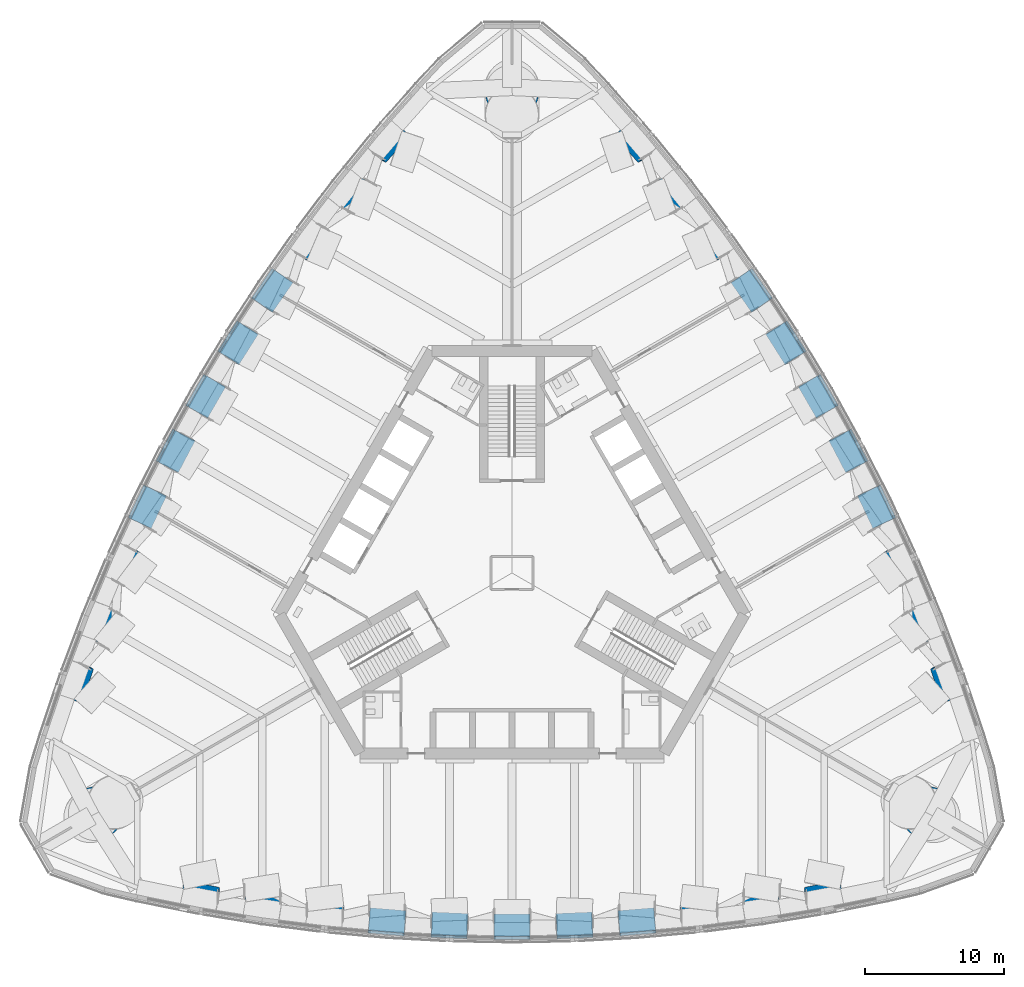
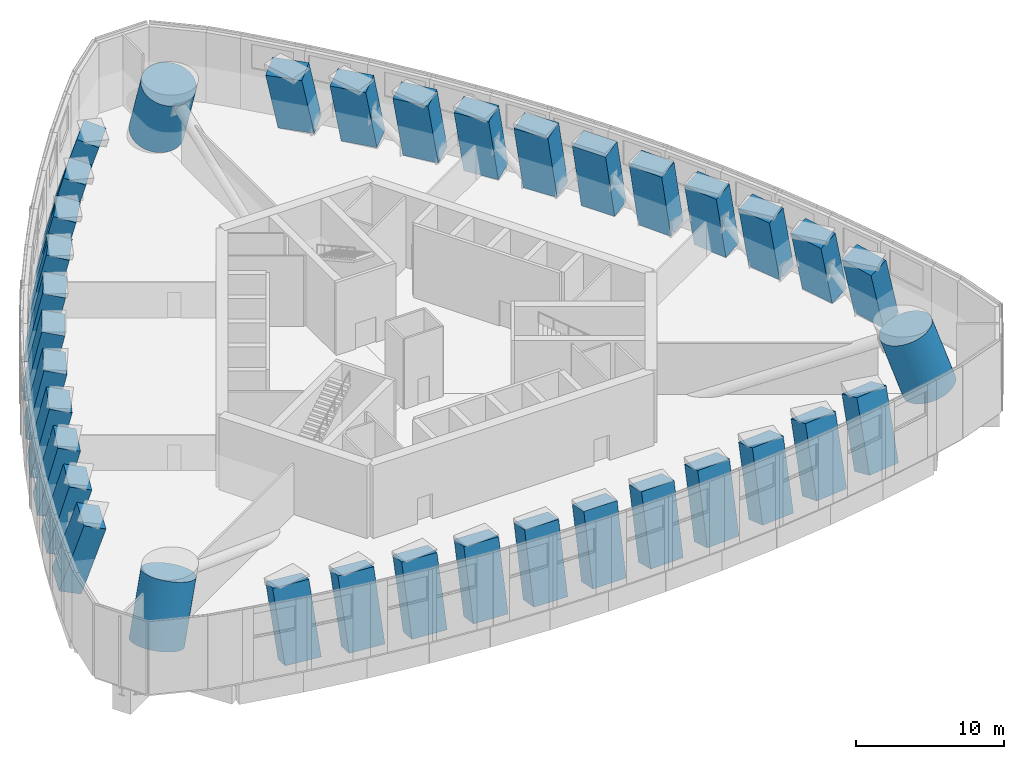
# One storey, part 1 of 25: 36 columns.
"""IFC4 building model written with IfcOpenShell, lengths in metres."""

from ifc_helpers import new_model, si_unit, direction, frame, origin, origin_2d, place, context, subcontext, project, spatial, rectangle, circle, extrude, clip, halfspace, material, material_profile, profile_set, type_object, element, save


model = new_model("IFC4")

# Units and contexts
model_context = context("Model", 3, precision=1e-05, world=origin(), true_north=direction((0.0, 1.0)))
body_context = subcontext(model_context, "Body", "Model", "MODEL_VIEW")
ifc_project = project(units=[si_unit("LENGTHUNIT", "METRE"), si_unit("AREAUNIT", "SQUARE_METRE"), si_unit("VOLUMEUNIT", "CUBIC_METRE"), si_unit("PLANEANGLEUNIT", "RADIAN"), si_unit("MASSUNIT", "GRAM", prefix="KILO")], contexts=[model_context])

# Site, building, storey
site_placement = place(None, origin())
site = spatial("IfcSite", under=ifc_project, at=site_placement, CompositionType="ELEMENT")
building_placement = place(site_placement, origin())
building = spatial("IfcBuilding", under=site, at=building_placement, Name="Trefoil Bronze Tower", CompositionType="ELEMENT")
storey_placement = place(building_placement, frame((0.0, 0.0, 178.699951171875)))
storey = spatial("IfcBuildingStorey", under=building, at=storey_placement, Name="L41", CompositionType="ELEMENT", Elevation=178.699951171875)

# Columns
ifc_material_1 = material(Name="Concrete B80", Category="concrete")
ifc_material_profile_1 = material_profile(ifc_material_1, circle(Radius=1.89990234375, at=origin_2d()), Name="RC D3800")
ifc_profile_set_1 = profile_set([ifc_material_profile_1], Name="Concrete B80")
column_type_1 = type_object("IfcColumnType", Name="Mega column RC D3800", PredefinedType="COLUMN", material=ifc_profile_set_1)
column_1_placement = place(storey_placement, frame((30.310791015625, -17.5, 0.0), z_axis=(-0.273844135475, 0.158114685496, 0.948688112973), x_axis=(-0.50002537861, -0.866010750942, 0.0)))
element("IfcColumn", 1, at=column_1_placement, inside=storey, type_object=column_type_1, Name="Mega column K1 L41", PredefinedType="COLUMN", context=body_context, shape_type="Clipping", body=[
    clip(clip(extrude(circle(Radius=1.89990234375, at=origin_2d()), origin(), (0.0, 0.0, 1.0), 6.324462890625), halfspace(frame((0.0, 0.0, 0.63427734375), z_axis=(9.267167373067098e-06, -1.5226556625558274e-05, 0.9999999998411359), x_axis=(0.0, 0.9999999998840761, 1.5226556626212106e-05)), True)), halfspace(frame((0.0, 0.0, 5.690185546875), z_axis=(-9.267167373067098e-06, 1.5226556625558274e-05, -0.9999999998411359), x_axis=(0.0, -0.9999999998840761, -1.5226556626212106e-05)), True)),
])
column_2_placement = place(storey_placement, frame((0.0, 35.0, 0.0), z_axis=(0.0, -0.316227766017, 0.948683298051), x_axis=(1.0, 0.0, 0.0)))
element("IfcColumn", 2, at=column_2_placement, inside=storey, type_object=column_type_1, Name="Mega column K2 L41", PredefinedType="COLUMN", context=body_context, shape_type="Clipping", body=[
    clip(clip(extrude(circle(Radius=1.89990234375, at=origin_2d()), origin(), (0.0, 0.0, 1.0), 6.324462890625), halfspace(frame((0.0, 0.0, 0.63427734375), z_axis=(0.0, 0.0, 1.0), x_axis=(0.0, 1.0, 0.0)), True)), halfspace(frame((0.0, 0.0, 5.690185546875), z_axis=(0.0, 0.0, -1.0), x_axis=(0.0, -1.0, 0.0)), True)),
])
column_3_placement = place(storey_placement, frame((-30.310791015625, -17.5, 0.0), z_axis=(0.273844135475, 0.158114685496, 0.948688112973), x_axis=(-0.50002537861, 0.866010750942, 0.0)))
element("IfcColumn", 3, at=column_3_placement, inside=storey, type_object=column_type_1, Name="Mega column K3 L41", PredefinedType="COLUMN", context=body_context, shape_type="Clipping", body=[
    clip(clip(extrude(circle(Radius=1.89990234375, at=origin_2d()), origin(), (0.0, 0.0, 1.0), 6.324462890625), halfspace(frame((0.0, 0.0, 0.63427734375), z_axis=(-9.267167373067098e-06, -1.5226556625558274e-05, 0.9999999998411359), x_axis=(0.0, 0.9999999998840761, 1.5226556626212106e-05)), True)), halfspace(frame((0.0, 0.0, 5.690185546875), z_axis=(9.267167373067098e-06, 1.5226556625558274e-05, -0.9999999998411359), x_axis=(0.0, -0.9999999998840761, -1.5226556626212106e-05)), True)),
])
ifc_material_2 = material(Name="Concrete B80", Category="concrete")
ifc_material_profile_2 = material_profile(ifc_material_2, rectangle(XDim=2.60009765625, YDim=1.60009765625, at=origin_2d()), Name="RC 2600x1600")
ifc_profile_set_2 = profile_set([ifc_material_profile_2], Name="Concrete B80")
column_type_2 = type_object("IfcColumnType", Name="Tube column RC 2600x1600", PredefinedType="COLUMN", material=ifc_profile_set_2)
column_4_placement = place(storey_placement, frame((-22.5, -23.592529296875, 0.0), z_axis=(0.0, 0.299300569988, 0.954158880273), x_axis=(0.980854125041, -0.185816618632, 0.058286959352)))
element("IfcColumn", 4, at=column_4_placement, inside=storey, type_object=column_type_2, Name="Tube column F1/-5 L41", PredefinedType="COLUMN", context=body_context, shape_type="Clipping", body=[
    clip(clip(extrude(rectangle(XDim=2.60009765625, YDim=1.60009765625, at=origin_2d()), origin(), (0.0, 0.0, 1.0), 6.288330078125), halfspace(frame((0.0, 0.0, 0.32666015625), z_axis=(8.260061475987014e-07, -4.160292311927717e-06, 0.9999999999910049), x_axis=(0.0, 0.999999999991346, 4.160292311929136e-06)), True)), halfspace(frame((0.0, 0.0, 5.961669921875), z_axis=(-8.260061475987014e-07, 4.160292311927717e-06, -0.9999999999910049), x_axis=(0.0, -0.999999999991346, -4.160292311929136e-06)), True)),
])
column_5_placement = place(storey_placement, frame((-18.0, -24.337158203125, 0.0), z_axis=(0.0, 0.26787435651, 0.963453854175), x_axis=(0.987407007975, -0.152418888771, 0.04237785917)))
element("IfcColumn", 5, at=column_5_placement, inside=storey, type_object=column_type_2, Name="Tube column F1/-4 L41", PredefinedType="COLUMN", context=body_context, shape_type="Clipping", body=[
    clip(clip(extrude(rectangle(XDim=2.60009765625, YDim=1.60009765625, at=origin_2d()), origin(), (0.0, 0.0, 1.0), 6.2275390625), halfspace(frame((0.0, 0.0, 0.27783203125), z_axis=(3.516938154327076e-06, -2.1950937029668882e-05, 0.9999999997528938), x_axis=(0.0, 0.9999999997590782, 2.1950937029804634e-05)), True)), halfspace(frame((0.0, 0.0, 5.949951171875), z_axis=(-3.516938154327076e-06, 2.1950937029668882e-05, -0.9999999997528938), x_axis=(0.0, -0.9999999997590782, -2.1950937029804634e-05)), True)),
])
column_6_placement = place(storey_placement, frame((-13.5, -24.9130859375, 0.0), z_axis=(0.0, 0.243241341728, 0.969965798198), x_axis=(0.99284889025, -0.115792472427, 0.029037638654)))
element("IfcColumn", 6, at=column_6_placement, inside=storey, type_object=column_type_2, Name="Tube column F1/-3 L41", PredefinedType="COLUMN", context=body_context, shape_type="Clipping", body=[
    clip(clip(extrude(rectangle(XDim=2.60009765625, YDim=1.60009765625, at=origin_2d()), origin(), (0.0, 0.0, 1.0), 6.185791015625), halfspace(frame((0.0, 0.0, 0.2392578125), z_axis=(-1.550897189790679e-06, 1.289859057065912e-05, 0.9999999999156106), x_axis=(0.0, 0.9999999999168132, -1.2898590570674633e-05)), True)), halfspace(frame((0.0, 0.0, 5.94677734375), z_axis=(1.550897189790679e-06, -1.289859057065912e-05, -0.9999999999156106), x_axis=(0.0, -0.9999999999168132, 1.2898590570674633e-05)), True)),
])
column_7_placement = place(storey_placement, frame((-9.0, -25.32275390625, 0.0), z_axis=(0.0, 0.225672947867, 0.974203120813), x_axis=(0.996802417322, -0.077844503793, 0.018032583012)))
element("IfcColumn", 7, at=column_7_placement, inside=storey, type_object=column_type_2, Name="Tube column F1/-2 L41", PredefinedType="COLUMN", context=body_context, shape_type="Clipping", body=[
    clip(clip(extrude(rectangle(XDim=2.60009765625, YDim=1.60009765625, at=origin_2d()), origin(), (0.0, 0.0, 1.0), 6.158935546875), halfspace(frame((0.0, 0.0, 0.209716796875), z_axis=(3.931179211845437e-07, -4.904034162700466e-06, 0.999999999987898), x_axis=(0.0, 0.9999999999879753, 4.904034162700844e-06)), True)), halfspace(frame((0.0, -0.000244140625, 5.94921875), z_axis=(-3.931179211845437e-07, 4.904034162700466e-06, -0.999999999987898), x_axis=(0.0, -0.9999999999879753, -4.904034162700844e-06)), True)),
])
column_8_placement = place(storey_placement, frame((-4.5, -25.568115234375, 0.0), z_axis=(0.0, 0.215137706469, 0.976583722604), x_axis=(0.999197926162, -0.03910610419, 0.008614927087)))
element("IfcColumn", 8, at=column_8_placement, inside=storey, type_object=column_type_2, Name="Tube column F1/-1 L41", PredefinedType="COLUMN", context=body_context, shape_type="Clipping", body=[
    clip(clip(extrude(rectangle(XDim=2.60009765625, YDim=1.60009765625, at=origin_2d()), origin(), (0.0, 0.0, 1.0), 6.143798828125), halfspace(frame((0.0, 0.0, 0.188720703125), z_axis=(7.706867721588712e-07, -1.9230667424069425e-05, 0.9999999998147938), x_axis=(0.0, 0.9999999998150907, 1.9230667424075134e-05)), True)), halfspace(frame((0.0, 0.0, 5.955322265625), z_axis=(-7.706867721588712e-07, 1.9230667424069425e-05, -0.9999999998147938), x_axis=(0.0, -0.9999999998150907, -1.9230667424075134e-05)), True)),
])
column_9_placement = place(storey_placement, frame((0.0, -25.649658203125, 0.0), z_axis=(0.0, 0.211608999998, 0.977354404052), x_axis=(1.0, 0.0, 0.0)))
element("IfcColumn", 9, at=column_9_placement, inside=storey, type_object=column_type_2, Name="Tube column F1/+0 L41", PredefinedType="COLUMN", context=body_context, shape_type="Clipping", body=[
    clip(clip(extrude(rectangle(XDim=2.60009765625, YDim=1.60009765625, at=origin_2d()), origin(), (0.0, 0.0, 1.0), 6.138916015625), halfspace(frame((0.0, 0.0, 0.17431640625), z_axis=(6.659859586810649e-22, -5.438188048573211e-06, 0.999999999985213), x_axis=(0.0, 0.999999999985213, 5.438188048573211e-06)), True)), halfspace(frame((0.0, 0.0, 5.96484375), z_axis=(-6.659859586810649e-22, 5.438188048573211e-06, -0.999999999985213), x_axis=(0.0, -0.999999999985213, -5.438188048573211e-06)), True)),
])
column_10_placement = place(storey_placement, frame((4.5, -25.568115234375, 0.0), z_axis=(0.0, 0.215137706469, 0.976583722604), x_axis=(0.999197926162, 0.03910610419, -0.008614927087)))
element("IfcColumn", 10, at=column_10_placement, inside=storey, type_object=column_type_2, Name="Tube column F1/+1 L41", PredefinedType="COLUMN", context=body_context, shape_type="Clipping", body=[
    clip(clip(extrude(rectangle(XDim=2.60009765625, YDim=1.60009765625, at=origin_2d()), origin(), (0.0, 0.0, 1.0), 6.143798828125), halfspace(frame((0.0, 0.0, 0.188720703125), z_axis=(-7.706867721588712e-07, -1.9230667424069425e-05, 0.9999999998147938), x_axis=(0.0, 0.9999999998150907, 1.9230667424075134e-05)), True)), halfspace(frame((0.0, 0.0, 5.955322265625), z_axis=(7.706867721588712e-07, 1.9230667424069425e-05, -0.9999999998147938), x_axis=(0.0, -0.9999999998150907, -1.9230667424075134e-05)), True)),
])
column_11_placement = place(storey_placement, frame((9.0, -25.32275390625, 0.0), z_axis=(0.0, 0.225672947867, 0.974203120813), x_axis=(0.996802417322, 0.077844503793, -0.018032583012)))
element("IfcColumn", 11, at=column_11_placement, inside=storey, type_object=column_type_2, Name="Tube column F1/+2 L41", PredefinedType="COLUMN", context=body_context, shape_type="Clipping", body=[
    clip(clip(extrude(rectangle(XDim=2.60009765625, YDim=1.60009765625, at=origin_2d()), origin(), (0.0, 0.0, 1.0), 6.158935546875), halfspace(frame((0.0, 0.0, 0.209716796875), z_axis=(-3.931179211845437e-07, -4.904034162700466e-06, 0.999999999987898), x_axis=(0.0, 0.9999999999879753, 4.904034162700844e-06)), True)), halfspace(frame((0.0, -0.000244140625, 5.94921875), z_axis=(3.931179211845437e-07, 4.904034162700466e-06, -0.999999999987898), x_axis=(0.0, -0.9999999999879753, -4.904034162700844e-06)), True)),
])
column_12_placement = place(storey_placement, frame((13.5, -24.9130859375, 0.0), z_axis=(0.0, 0.243241341728, 0.969965798198), x_axis=(0.99284889025, 0.115792472427, -0.029037638654)))
element("IfcColumn", 12, at=column_12_placement, inside=storey, type_object=column_type_2, Name="Tube column F1/+3 L41", PredefinedType="COLUMN", context=body_context, shape_type="Clipping", body=[
    clip(clip(extrude(rectangle(XDim=2.60009765625, YDim=1.60009765625, at=origin_2d()), origin(), (0.0, 0.0, 1.0), 6.185791015625), halfspace(frame((0.0, 0.0, 0.2392578125), z_axis=(1.550897189790679e-06, 1.289859057065912e-05, 0.9999999999156106), x_axis=(0.0, 0.9999999999168132, -1.2898590570674633e-05)), True)), halfspace(frame((0.0, 0.0, 5.94677734375), z_axis=(-1.550897189790679e-06, -1.289859057065912e-05, -0.9999999999156106), x_axis=(0.0, -0.9999999999168132, 1.2898590570674633e-05)), True)),
])
column_13_placement = place(storey_placement, frame((18.0, -24.337158203125, 0.0), z_axis=(0.0, 0.26787435651, 0.963453854175), x_axis=(0.987407007975, 0.152418888771, -0.04237785917)))
element("IfcColumn", 13, at=column_13_placement, inside=storey, type_object=column_type_2, Name="Tube column F1/+4 L41", PredefinedType="COLUMN", context=body_context, shape_type="Clipping", body=[
    clip(clip(extrude(rectangle(XDim=2.60009765625, YDim=1.60009765625, at=origin_2d()), origin(), (0.0, 0.0, 1.0), 6.2275390625), halfspace(frame((0.0, 0.0, 0.27783203125), z_axis=(-3.516938154327076e-06, -2.1950937029668882e-05, 0.9999999997528938), x_axis=(0.0, 0.9999999997590782, 2.1950937029804634e-05)), True)), halfspace(frame((0.0, 0.0, 5.949951171875), z_axis=(3.516938154327076e-06, 2.1950937029668882e-05, -0.9999999997528938), x_axis=(0.0, -0.9999999997590782, -2.1950937029804634e-05)), True)),
])
column_14_placement = place(storey_placement, frame((22.5, -23.592529296875, 0.0), z_axis=(0.0, 0.299300569988, 0.954158880273), x_axis=(0.980854125041, 0.185816618632, -0.058286959352)))
element("IfcColumn", 14, at=column_14_placement, inside=storey, type_object=column_type_2, Name="Tube column F1/+5 L41", PredefinedType="COLUMN", context=body_context, shape_type="Clipping", body=[
    clip(clip(extrude(rectangle(XDim=2.60009765625, YDim=1.60009765625, at=origin_2d()), origin(), (0.0, 0.0, 1.0), 6.288330078125), halfspace(frame((0.0, 0.0, 0.32666015625), z_axis=(-8.260061475987014e-07, -4.160292311927717e-06, 0.9999999999910049), x_axis=(0.0, 0.999999999991346, 4.160292311929136e-06)), True)), halfspace(frame((0.0, 0.0, 5.961669921875), z_axis=(8.260061475987014e-07, 4.160292311927717e-06, -0.9999999999910049), x_axis=(0.0, -0.999999999991346, -4.160292311929136e-06)), True)),
])
column_15_placement = place(storey_placement, frame((31.681884765625, -7.689208984375, 0.0), z_axis=(-0.259194268696, -0.149669548506, 0.954157931018), x_axis=(-0.329569843621, 0.942330239271, 0.058287548681)))
element("IfcColumn", 15, at=column_15_placement, inside=storey, type_object=column_type_2, Name="Tube column F2/-5 L41", PredefinedType="COLUMN", context=body_context, shape_type="Clipping", body=[
    clip(clip(extrude(rectangle(XDim=2.60009765625, YDim=1.60009765625, at=origin_2d()), origin(), (0.0, 0.0, 1.0), 6.288330078125), halfspace(frame((0.0, 0.0, 0.32666015625), z_axis=(2.1547173570279913e-05, -3.2802665639875003e-06, 0.9999999997624797), x_axis=(0.0, 0.99999999999462, 3.2802665647489825e-06)), True)), halfspace(frame((0.0, 0.0, 5.961669921875), z_axis=(-2.1547173570279913e-05, 3.2802665639875003e-06, -0.9999999997624797), x_axis=(0.0, -0.99999999999462, -3.2802665647489825e-06)), True)),
])
column_16_placement = place(storey_placement, frame((30.07666015625, -3.419921875, 0.0), z_axis=(-0.231966146532, -0.13391860006, 0.963461216355), x_axis=(-0.36168243427, 0.93133790261, 0.042373669911)))
element("IfcColumn", 16, at=column_16_placement, inside=storey, type_object=column_type_2, Name="Tube column F2/-4 L41", PredefinedType="COLUMN", context=body_context, shape_type="Clipping", body=[
    clip(clip(extrude(rectangle(XDim=2.60009765625, YDim=1.60009765625, at=origin_2d()), origin(), (0.0, 0.0, 1.0), 6.2275390625), halfspace(frame((0.0, 0.0, 0.27783203125), z_axis=(-6.917197328398794e-06, 4.213036003897219e-06, 0.9999999999672015), x_axis=(0.0, 0.9999999999911252, -4.213036003998011e-06)), True)), halfspace(frame((0.0, 0.0, 5.949951171875), z_axis=(6.917197328398794e-06, -4.213036003897219e-06, -0.9999999999672015), x_axis=(0.0, -0.9999999999911252, 4.213036003998011e-06)), True)),
])
column_17_placement = place(storey_placement, frame((28.325439453125, 0.76513671875, 0.0), z_axis=(-0.210679538915, -0.121600535668, 0.969962598046), x_axis=(-0.396030042984, 0.91777825869, 0.029039162011)))
element("IfcColumn", 17, at=column_17_placement, inside=storey, type_object=column_type_2, Name="Tube column F2/-3 L41", PredefinedType="COLUMN", context=body_context, shape_type="Clipping", body=[
    clip(clip(extrude(rectangle(XDim=2.60009765625, YDim=1.60009765625, at=origin_2d()), origin(), (0.0, 0.0, 1.0), 6.185791015625), halfspace(frame((0.0, 0.0, 0.2392578125), z_axis=(-3.0378180671815358e-05, -3.820048547931165e-06, 0.9999999995312867), x_axis=(0.0, 0.9999999999927036, 3.8200485496938e-06)), True)), halfspace(frame((0.0, 0.0, 5.94677734375), z_axis=(3.0378180671815358e-05, 3.820048547931165e-06, -0.9999999995312867), x_axis=(0.0, -0.9999999999927036, -3.8200485496938e-06)), True)),
])
column_18_placement = place(storey_placement, frame((26.43017578125, 4.8671875, 0.0), z_axis=(-0.195428167391, -0.112817153021, 0.974207432416), x_axis=(-0.430939361595, 0.902200723906, 0.018031095686)))
element("IfcColumn", 18, at=column_18_placement, inside=storey, type_object=column_type_2, Name="Tube column F2/-2 L41", PredefinedType="COLUMN", context=body_context, shape_type="Clipping", body=[
    clip(clip(extrude(rectangle(XDim=2.60009765625, YDim=1.60009765625, at=origin_2d()), origin(), (0.0, 0.0, 1.0), 6.158935546875), halfspace(frame((0.0, 0.0, 0.209716796875), z_axis=(-1.266096880684145e-05, 1.3217046998748039e-05, 0.9999999998325048), x_axis=(0.0, 0.9999999999126549, -1.3217046999807387e-05)), True)), halfspace(frame((0.0, 0.0, 5.94921875), z_axis=(1.266096880684145e-05, -1.3217046998748039e-05, -0.9999999998325048), x_axis=(0.0, -0.9999999999126549, 1.3217046999807387e-05)), True)),
])
column_19_placement = place(storey_placement, frame((24.392578125, 8.886962890625, 0.0), z_axis=(-0.186289343802, -0.107569380049, 0.976588505391), x_axis=(-0.465785984336, 0.884855476791, 0.008614057662)))
element("IfcColumn", 19, at=column_19_placement, inside=storey, type_object=column_type_2, Name="Tube column F2/-1 L41", PredefinedType="COLUMN", context=body_context, shape_type="Clipping", body=[
    clip(clip(extrude(rectangle(XDim=2.60009765625, YDim=1.60009765625, at=origin_2d()), origin(), (0.0, 0.0, 1.0), 6.143798828125), halfspace(frame((0.0, 0.0, 0.188720703125), z_axis=(1.3014513908404109e-05, 3.509830411391191e-06, 0.9999999999091518), x_axis=(0.0, 0.9999999999938406, -3.5098304116884342e-06)), True)), halfspace(frame((0.0, 0.0, 5.955322265625), z_axis=(-1.3014513908404109e-05, -3.509830411391191e-06, -0.9999999999091518), x_axis=(0.0, -0.9999999999938406, 3.5098304116884342e-06)), True)),
])
column_20_placement = place(storey_placement, frame((22.21337890625, 12.824951171875, 0.0), z_axis=(-0.183253727016, -0.105824255119, 0.97735321075), x_axis=(-0.500080332001, 0.865979019114, 0.0)))
element("IfcColumn", 20, at=column_20_placement, inside=storey, type_object=column_type_2, Name="Tube column F2/+0 L41", PredefinedType="COLUMN", context=body_context, shape_type="Clipping", body=[
    clip(clip(extrude(rectangle(XDim=2.60009765625, YDim=1.60009765625, at=origin_2d()), origin(), (0.0, 0.0, 1.0), 6.138916015625), halfspace(frame((0.0, 0.000244140625, 0.17431640625), z_axis=(1.962931837797242e-05, -1.1078215543997016e-05, 0.9999999997459816), x_axis=(0.0, 0.9999999999386366, 1.107821554613129e-05)), True)), halfspace(frame((0.0, 0.0, 5.96484375), z_axis=(-1.962931837797242e-05, 1.1078215543997016e-05, -0.9999999997459816), x_axis=(0.0, -0.9999999999386366, -1.107821554613129e-05)), True)),
])
column_21_placement = place(storey_placement, frame((19.892578125, 16.68115234375, 0.0), z_axis=(-0.186289343802, -0.107569380049, 0.976588505391), x_axis=(-0.533517685828, 0.845745042504, -0.008614057662)))
element("IfcColumn", 21, at=column_21_placement, inside=storey, type_object=column_type_2, Name="Tube column F2/+1 L41", PredefinedType="COLUMN", context=body_context, shape_type="Clipping", body=[
    clip(clip(extrude(rectangle(XDim=2.60009765625, YDim=1.60009765625, at=origin_2d()), origin(), (0.0, 0.0, 1.0), 6.143798828125), halfspace(frame((0.0, 0.0, 0.1884765625), z_axis=(1.3253644547951e-05, 2.4571096812753272e-06, 0.9999999999091518), x_axis=(0.0, 0.9999999999969813, -2.457109681491134e-06)), True)), halfspace(frame((0.0, 0.0, 5.955322265625), z_axis=(-1.3253644547951e-05, -2.4571096812753272e-06, -0.9999999999091518), x_axis=(0.0, -0.9999999999969813, 2.457109681491134e-06)), True)),
])
column_22_placement = place(storey_placement, frame((17.43017578125, 20.45556640625, 0.0), z_axis=(-0.195428167391, -0.112817153021, 0.974207432416), x_axis=(-0.565774582808, 0.824362784845, -0.018031095686)))
element("IfcColumn", 22, at=column_22_placement, inside=storey, type_object=column_type_2, Name="Tube column F2/+2 L41", PredefinedType="COLUMN", context=body_context, shape_type="Clipping", body=[
    clip(clip(extrude(rectangle(XDim=2.60009765625, YDim=1.60009765625, at=origin_2d()), origin(), (0.0, 0.0, 1.0), 6.158935546875), halfspace(frame((0.0, 0.0, 0.209716796875), z_axis=(-1.0393805708591025e-05, 1.5065167287081627e-05, 0.9999999998325048), x_axis=(0.0, 0.9999999998865204, -1.5065167287895381e-05)), True)), halfspace(frame((0.0, 0.0, 5.94921875), z_axis=(1.0393805708591025e-05, -1.5065167287081627e-05, -0.9999999998325048), x_axis=(0.0, -0.9999999998865204, 1.5065167287895381e-05)), True)),
])
column_23_placement = place(storey_placement, frame((14.825439453125, 24.14794921875, 0.0), z_axis=(-0.21067852764, -0.121639419668, 0.969957942168), x_axis=(-0.596714603171, 0.801927852563, -0.029041378179)))
element("IfcColumn", 23, at=column_23_placement, inside=storey, type_object=column_type_2, Name="Tube column F2/+3 L41", PredefinedType="COLUMN", context=body_context, shape_type="Clipping", body=[
    clip(clip(extrude(rectangle(XDim=2.60009765625, YDim=1.60009765625, at=origin_2d()), origin(), (0.0, 0.0, 1.0), 6.185791015625), halfspace(frame((0.0, 0.0, 0.2392578125), z_axis=(1.2329942088509793e-06, -1.9590941299552078e-05, 0.9999999998073374), x_axis=(0.0, 0.9999999998080975, 1.959094129956697e-05)), True)), halfspace(frame((0.0, 0.0, 5.94677734375), z_axis=(-1.2329942088509793e-06, 1.9590941299552078e-05, -0.9999999998073374), x_axis=(0.0, -0.9999999998080975, -1.959094129956697e-05)), True)),
])
column_24_placement = place(storey_placement, frame((12.07666015625, 27.757080078125, 0.0), z_axis=(-0.231966146532, -0.13391860006, 0.963461216355), x_axis=(-0.625685218316, 0.778923924192, -0.042373669911)))
element("IfcColumn", 24, at=column_24_placement, inside=storey, type_object=column_type_2, Name="Tube column F2/+4 L41", PredefinedType="COLUMN", context=body_context, shape_type="Clipping", body=[
    clip(clip(extrude(rectangle(XDim=2.60009765625, YDim=1.60009765625, at=origin_2d()), origin(), (0.0, 0.0, 1.0), 6.2275390625), halfspace(frame((0.0, 0.0, 0.27783203125), z_axis=(-5.254736092627499e-06, 6.1632004548783925e-06, 0.9999999999672015), x_axis=(0.0, 0.9999999999810075, -6.163200454963482e-06)), True)), halfspace(frame((0.0, 0.000244140625, 5.949951171875), z_axis=(5.254736092627499e-06, -6.1632004548783925e-06, -0.9999999999672015), x_axis=(0.0, -0.9999999999810075, 6.163200454963482e-06)), True)),
])
column_25_placement = place(storey_placement, frame((9.181884765625, 31.281982421875, 0.0), z_axis=(-0.259194268696, -0.149669548506, 0.954157931018), x_axis=(-0.651400622005, 0.756491765533, -0.058287548681)))
element("IfcColumn", 25, at=column_25_placement, inside=storey, type_object=column_type_2, Name="Tube column F2/+5 L41", PredefinedType="COLUMN", context=body_context, shape_type="Clipping", body=[
    clip(clip(extrude(rectangle(XDim=2.60009765625, YDim=1.60009765625, at=origin_2d()), origin(), (0.0, 0.0, 1.0), 6.288330078125), halfspace(frame((0.0, 0.0, 0.32666015625), z_axis=(1.865964990373226e-05, -1.1263139130357482e-05, 0.9999999997624797), x_axis=(0.0, 0.9999999999365708, 1.1263139132318295e-05)), True)), halfspace(frame((0.0, 0.0, 5.9619140625), z_axis=(-1.865964990373226e-05, 1.1263139130357482e-05, -0.9999999997624797), x_axis=(0.0, -0.9999999999365708, -1.1263139132318295e-05)), True)),
])
column_26_placement = place(storey_placement, frame((-9.181884765625, 31.281982421875, 0.0), z_axis=(0.259194268696, -0.149669548506, 0.954157931018), x_axis=(-0.651400622005, -0.756491765533, 0.058287548681)))
element("IfcColumn", 26, at=column_26_placement, inside=storey, type_object=column_type_2, Name="Tube column F3/-5 L41", PredefinedType="COLUMN", context=body_context, shape_type="Clipping", body=[
    clip(clip(extrude(rectangle(XDim=2.60009765625, YDim=1.60009765625, at=origin_2d()), origin(), (0.0, 0.0, 1.0), 6.288330078125), halfspace(frame((0.0, 0.0, 0.32666015625), z_axis=(-1.865964990373226e-05, -1.1263139130357482e-05, 0.9999999997624797), x_axis=(0.0, 0.9999999999365708, 1.1263139132318295e-05)), True)), halfspace(frame((0.0, 0.0, 5.9619140625), z_axis=(1.865964990373226e-05, 1.1263139130357482e-05, -0.9999999997624797), x_axis=(0.0, -0.9999999999365708, -1.1263139132318295e-05)), True)),
])
column_27_placement = place(storey_placement, frame((-12.07666015625, 27.757080078125, 0.0), z_axis=(0.231966146532, -0.13391860006, 0.963461216355), x_axis=(-0.625685218316, -0.778923924192, 0.042373669911)))
element("IfcColumn", 27, at=column_27_placement, inside=storey, type_object=column_type_2, Name="Tube column F3/-4 L41", PredefinedType="COLUMN", context=body_context, shape_type="Clipping", body=[
    clip(clip(extrude(rectangle(XDim=2.60009765625, YDim=1.60009765625, at=origin_2d()), origin(), (0.0, 0.0, 1.0), 6.2275390625), halfspace(frame((0.0, 0.0, 0.27783203125), z_axis=(5.254736092627499e-06, 6.1632004548783925e-06, 0.9999999999672015), x_axis=(0.0, 0.9999999999810075, -6.163200454963482e-06)), True)), halfspace(frame((0.0, 0.000244140625, 5.949951171875), z_axis=(-5.254736092627499e-06, -6.1632004548783925e-06, -0.9999999999672015), x_axis=(0.0, -0.9999999999810075, 6.163200454963482e-06)), True)),
])
column_28_placement = place(storey_placement, frame((-14.825439453125, 24.14794921875, 0.0), z_axis=(0.21067852764, -0.121639419668, 0.969957942168), x_axis=(-0.596714603171, -0.801927852563, 0.029041378179)))
element("IfcColumn", 28, at=column_28_placement, inside=storey, type_object=column_type_2, Name="Tube column F3/-3 L41", PredefinedType="COLUMN", context=body_context, shape_type="Clipping", body=[
    clip(clip(extrude(rectangle(XDim=2.60009765625, YDim=1.60009765625, at=origin_2d()), origin(), (0.0, 0.0, 1.0), 6.185791015625), halfspace(frame((0.0, 0.0, 0.2392578125), z_axis=(-1.2329942088509793e-06, -1.9590941299552078e-05, 0.9999999998073374), x_axis=(0.0, 0.9999999998080975, 1.959094129956697e-05)), True)), halfspace(frame((0.0, 0.0, 5.94677734375), z_axis=(1.2329942088509793e-06, 1.9590941299552078e-05, -0.9999999998073374), x_axis=(0.0, -0.9999999998080975, -1.959094129956697e-05)), True)),
])
column_29_placement = place(storey_placement, frame((-17.43017578125, 20.45556640625, 0.0), z_axis=(0.195428167391, -0.112817153021, 0.974207432416), x_axis=(-0.565774582808, -0.824362784845, 0.018031095686)))
element("IfcColumn", 29, at=column_29_placement, inside=storey, type_object=column_type_2, Name="Tube column F3/-2 L41", PredefinedType="COLUMN", context=body_context, shape_type="Clipping", body=[
    clip(clip(extrude(rectangle(XDim=2.60009765625, YDim=1.60009765625, at=origin_2d()), origin(), (0.0, 0.0, 1.0), 6.158935546875), halfspace(frame((0.0, 0.0, 0.209716796875), z_axis=(1.0393805708591025e-05, 1.5065167287081627e-05, 0.9999999998325048), x_axis=(0.0, 0.9999999998865204, -1.5065167287895381e-05)), True)), halfspace(frame((0.0, 0.0, 5.94921875), z_axis=(-1.0393805708591025e-05, -1.5065167287081627e-05, -0.9999999998325048), x_axis=(0.0, -0.9999999998865204, 1.5065167287895381e-05)), True)),
])
column_30_placement = place(storey_placement, frame((-19.892578125, 16.68115234375, 0.0), z_axis=(0.186289343802, -0.107569380049, 0.976588505391), x_axis=(-0.533517685828, -0.845745042504, 0.008614057662)))
element("IfcColumn", 30, at=column_30_placement, inside=storey, type_object=column_type_2, Name="Tube column F3/-1 L41", PredefinedType="COLUMN", context=body_context, shape_type="Clipping", body=[
    clip(clip(extrude(rectangle(XDim=2.60009765625, YDim=1.60009765625, at=origin_2d()), origin(), (0.0, 0.0, 1.0), 6.143798828125), halfspace(frame((0.0, 0.0, 0.1884765625), z_axis=(-1.3253644547951e-05, 2.4571096812753272e-06, 0.9999999999091518), x_axis=(0.0, 0.9999999999969813, -2.457109681491134e-06)), True)), halfspace(frame((0.0, 0.0, 5.955322265625), z_axis=(1.3253644547951e-05, -2.4571096812753272e-06, -0.9999999999091518), x_axis=(0.0, -0.9999999999969813, 2.457109681491134e-06)), True)),
])
column_31_placement = place(storey_placement, frame((-22.21337890625, 12.824951171875, 0.0), z_axis=(0.183253727016, -0.105824255119, 0.97735321075), x_axis=(-0.500080332001, -0.865979019114, 0.0)))
element("IfcColumn", 31, at=column_31_placement, inside=storey, type_object=column_type_2, Name="Tube column F3/+0 L41", PredefinedType="COLUMN", context=body_context, shape_type="Clipping", body=[
    clip(clip(extrude(rectangle(XDim=2.60009765625, YDim=1.60009765625, at=origin_2d()), origin(), (0.0, 0.0, 1.0), 6.138916015625), halfspace(frame((0.0, 0.000244140625, 0.17431640625), z_axis=(-1.962931837797242e-05, -1.1078215543997016e-05, 0.9999999997459816), x_axis=(0.0, 0.9999999999386366, 1.107821554613129e-05)), True)), halfspace(frame((0.0, 0.0, 5.96484375), z_axis=(1.962931837797242e-05, 1.1078215543997016e-05, -0.9999999997459816), x_axis=(0.0, -0.9999999999386366, -1.107821554613129e-05)), True)),
])
column_32_placement = place(storey_placement, frame((-24.392578125, 8.886962890625, 0.0), z_axis=(0.186289343802, -0.107569380049, 0.976588505391), x_axis=(-0.465785984336, -0.884855476791, -0.008614057662)))
element("IfcColumn", 32, at=column_32_placement, inside=storey, type_object=column_type_2, Name="Tube column F3/+1 L41", PredefinedType="COLUMN", context=body_context, shape_type="Clipping", body=[
    clip(clip(extrude(rectangle(XDim=2.60009765625, YDim=1.60009765625, at=origin_2d()), origin(), (0.0, 0.0, 1.0), 6.143798828125), halfspace(frame((0.0, 0.0, 0.188720703125), z_axis=(-1.3014513908404109e-05, 3.509830411391191e-06, 0.9999999999091518), x_axis=(0.0, 0.9999999999938406, -3.5098304116884342e-06)), True)), halfspace(frame((0.0, 0.0, 5.955322265625), z_axis=(1.3014513908404109e-05, -3.509830411391191e-06, -0.9999999999091518), x_axis=(0.0, -0.9999999999938406, 3.5098304116884342e-06)), True)),
])
column_33_placement = place(storey_placement, frame((-26.43017578125, 4.8671875, 0.0), z_axis=(0.195428167391, -0.112817153021, 0.974207432416), x_axis=(-0.430939361595, -0.902200723906, -0.018031095686)))
element("IfcColumn", 33, at=column_33_placement, inside=storey, type_object=column_type_2, Name="Tube column F3/+2 L41", PredefinedType="COLUMN", context=body_context, shape_type="Clipping", body=[
    clip(clip(extrude(rectangle(XDim=2.60009765625, YDim=1.60009765625, at=origin_2d()), origin(), (0.0, 0.0, 1.0), 6.158935546875), halfspace(frame((0.0, 0.0, 0.209716796875), z_axis=(1.266096880684145e-05, 1.3217046998748039e-05, 0.9999999998325048), x_axis=(0.0, 0.9999999999126549, -1.3217046999807387e-05)), True)), halfspace(frame((0.0, 0.0, 5.94921875), z_axis=(-1.266096880684145e-05, -1.3217046998748039e-05, -0.9999999998325048), x_axis=(0.0, -0.9999999999126549, 1.3217046999807387e-05)), True)),
])
column_34_placement = place(storey_placement, frame((-28.325439453125, 0.76513671875, 0.0), z_axis=(0.210679538915, -0.121600535668, 0.969962598046), x_axis=(-0.396030042984, -0.91777825869, -0.029039162011)))
element("IfcColumn", 34, at=column_34_placement, inside=storey, type_object=column_type_2, Name="Tube column F3/+3 L41", PredefinedType="COLUMN", context=body_context, shape_type="Clipping", body=[
    clip(clip(extrude(rectangle(XDim=2.60009765625, YDim=1.60009765625, at=origin_2d()), origin(), (0.0, 0.0, 1.0), 6.185791015625), halfspace(frame((0.0, 0.0, 0.2392578125), z_axis=(3.0378180671815358e-05, -3.820048547931165e-06, 0.9999999995312867), x_axis=(0.0, 0.9999999999927036, 3.8200485496938e-06)), True)), halfspace(frame((0.0, 0.0, 5.94677734375), z_axis=(-3.0378180671815358e-05, 3.820048547931165e-06, -0.9999999995312867), x_axis=(0.0, -0.9999999999927036, -3.8200485496938e-06)), True)),
])
column_35_placement = place(storey_placement, frame((-30.07666015625, -3.419921875, 0.0), z_axis=(0.231966146532, -0.13391860006, 0.963461216355), x_axis=(-0.36168243427, -0.93133790261, -0.042373669911)))
element("IfcColumn", 35, at=column_35_placement, inside=storey, type_object=column_type_2, Name="Tube column F3/+4 L41", PredefinedType="COLUMN", context=body_context, shape_type="Clipping", body=[
    clip(clip(extrude(rectangle(XDim=2.60009765625, YDim=1.60009765625, at=origin_2d()), origin(), (0.0, 0.0, 1.0), 6.2275390625), halfspace(frame((0.0, 0.0, 0.27783203125), z_axis=(6.917197328398794e-06, 4.213036003897219e-06, 0.9999999999672015), x_axis=(0.0, 0.9999999999911252, -4.213036003998011e-06)), True)), halfspace(frame((0.0, 0.0, 5.949951171875), z_axis=(-6.917197328398794e-06, -4.213036003897219e-06, -0.9999999999672015), x_axis=(0.0, -0.9999999999911252, 4.213036003998011e-06)), True)),
])
column_36_placement = place(storey_placement, frame((-31.681884765625, -7.689208984375, 0.0), z_axis=(0.259194268696, -0.149669548506, 0.954157931018), x_axis=(-0.329569843621, -0.942330239271, -0.058287548681)))
element("IfcColumn", 36, at=column_36_placement, inside=storey, type_object=column_type_2, Name="Tube column F3/+5 L41", PredefinedType="COLUMN", context=body_context, shape_type="Clipping", body=[
    clip(clip(extrude(rectangle(XDim=2.60009765625, YDim=1.60009765625, at=origin_2d()), origin(), (0.0, 0.0, 1.0), 6.288330078125), halfspace(frame((0.0, 0.0, 0.32666015625), z_axis=(-2.1547173570279913e-05, -3.2802665639875003e-06, 0.9999999997624797), x_axis=(0.0, 0.99999999999462, 3.2802665647489825e-06)), True)), halfspace(frame((0.0, 0.0, 5.961669921875), z_axis=(2.1547173570279913e-05, 3.2802665639875003e-06, -0.9999999997624797), x_axis=(0.0, -0.99999999999462, -3.2802665647489825e-06)), True)),
])

save(model, "model.ifc")
